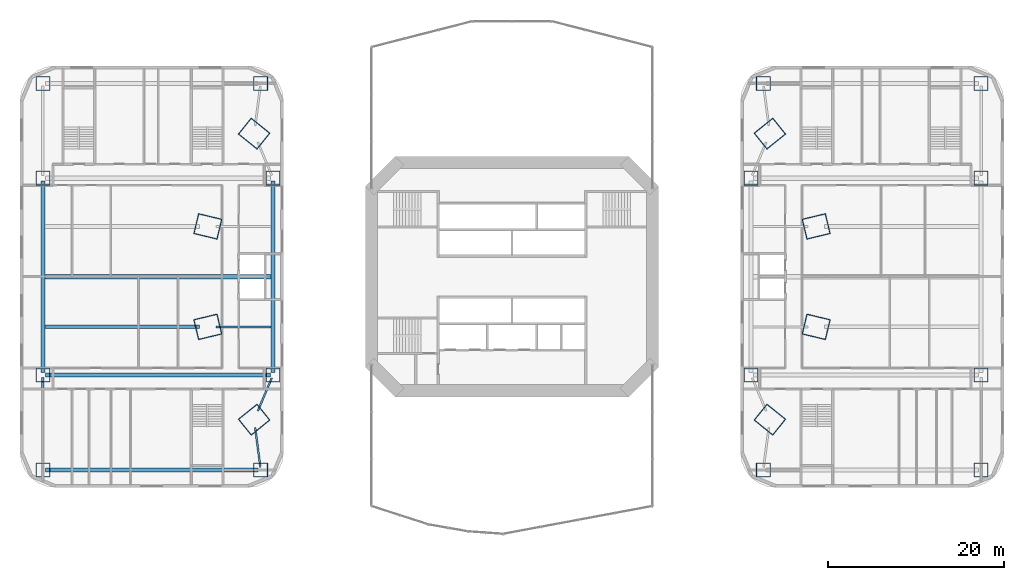
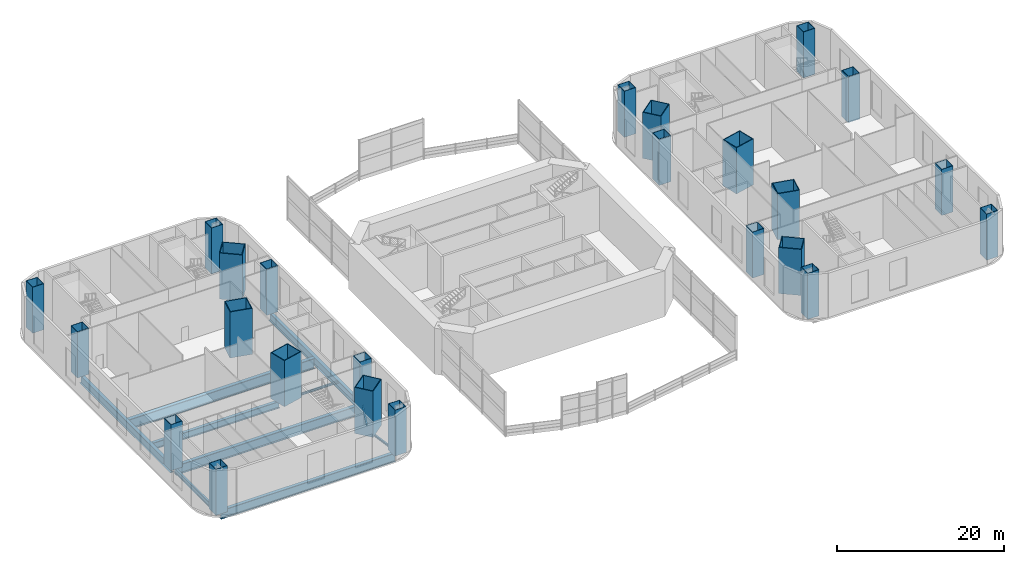
# One storey, part 1 of 19: 24 columns, 10 beams.
"""IFC4 building model written with IfcOpenShell, lengths in metres."""

from ifc_helpers import new_model, si_unit, direction, frame, origin, origin_2d, place, context, subcontext, project, spatial, rectangle, hollow_rectangle, i_section, extrude, material, material_profile, profile_set, type_object, element, save


model = new_model("IFC4")

# Units and contexts
model_context = context("Model", 3, precision=1e-05, world=origin(), true_north=direction((0.0, 1.0)))
body_context = subcontext(model_context, "Body", "Model", "MODEL_VIEW")
ifc_project = project(units=[si_unit("LENGTHUNIT", "METRE"), si_unit("AREAUNIT", "SQUARE_METRE"), si_unit("VOLUMEUNIT", "CUBIC_METRE"), si_unit("PLANEANGLEUNIT", "RADIAN"), si_unit("MASSUNIT", "GRAM", prefix="KILO")], contexts=[model_context])

# Site, building, storey
site_placement = place(None, origin())
site = spatial("IfcSite", under=ifc_project, at=site_placement, CompositionType="ELEMENT")
building_placement = place(site_placement, origin())
building = spatial("IfcBuilding", under=site, at=building_placement, Name="Marenthal Gate Tower", CompositionType="ELEMENT")
storey_placement = place(building_placement, frame((0.0, 0.0, 19.0)))
storey = spatial("IfcBuildingStorey", under=building, at=storey_placement, Name="L02", CompositionType="ELEMENT", Elevation=19.0)

# Columns
ifc_material_1 = material(Name="Steel S460", Category="steel")
ifc_material_profile_1 = material_profile(ifc_material_1, hollow_rectangle(XDim=2.39990234375, YDim=2.800048828125, WallThickness=0.10009765625, at=origin_2d()), Name="CFT BOX 2800X2400X100")
ifc_material_2 = material(Name="Concrete 70 MPa", Category="concrete")
ifc_material_profile_2 = material_profile(ifc_material_2, rectangle(XDim=2.199951171875, YDim=2.60009765625, at=origin_2d()), Name="CFT BOX 2800X2400X100 INFILL")
ifc_profile_set_1 = profile_set([ifc_material_profile_1, ifc_material_profile_2], Name="Steel S460 shell, Concrete 70 MPa infill")
column_type_1 = type_object("IfcColumnType", Name="CFT BOX 2800X2400X100", PredefinedType="COLUMN", material=ifc_profile_set_1)
for number, where, z_axis, x_axis, name in (
    (1, (34.62158203125, 5.716064453125, -0.25), (0.0, 0.0, 1.0), (0.2330465244, -0.972465586777, 0.0), "COL-L02-01"),
    (2, (29.350830078125, 16.2783203125, -0.25), (0.0, 0.0, 1.0), (0.627070248118, -0.778962710228, 0.0), "COL-L02-02"),
    (3, (-29.350830078125, 16.2783203125, -0.25), (0.0, 0.0, 1.0), (0.627070248118, 0.778962710228, 0.0), "COL-L02-07"),
    (4, (-34.62158203125, 5.716064453125, -0.25), (0.0, 0.0, 1.0), (0.2330465244, 0.972465586777, 0.0), "COL-L02-08"),
    (5, (-34.62158203125, -5.716064453125, -0.25), (0.0, 0.0, 1.0), (-0.2330465244, 0.972465586777, 0.0), "COL-L02-09"),
    (6, (-29.350830078125, -16.2783203125, -0.25), (0.0, 0.0, 1.0), (-0.627070248118, 0.778962710228, 0.0), "COL-L02-10"),
    (7, (29.350830078125, -16.2783203125, -0.25), (0.0, 0.0, 1.0), (-0.627070248118, -0.778962710228, 0.0), "COL-L02-15"),
    (8, (34.62158203125, -5.716064453125, -0.25), (0.0, 0.0, 1.0), (-0.2330465244, -0.972465586777, 0.0), "COL-L02-16"),
):
    element("IfcColumn", number, at=place(storey_placement, frame(where, z_axis=z_axis, x_axis=x_axis)), inside=storey, type_object=column_type_1, Name=name, PredefinedType="COLUMN", context=body_context, shape_type="SweptSolid", body=[
        extrude(hollow_rectangle(XDim=2.39990234375, YDim=2.800048828125, WallThickness=0.10009765625, at=origin_2d()), origin(), (0.0, 0.0, 1.0), 6.75),
    ])
ifc_material_3 = material(Name="Steel S460", Category="steel")
ifc_material_profile_3 = material_profile(ifc_material_3, hollow_rectangle(XDim=1.60009765625, YDim=1.60009765625, WallThickness=0.06005859375, at=origin_2d()), Name="CFT BOX 1600X1600X60")
ifc_material_4 = material(Name="Concrete 70 MPa", Category="concrete")
ifc_material_profile_4 = material_profile(ifc_material_4, rectangle(XDim=1.47998046875, YDim=1.47998046875, at=origin_2d()), Name="CFT BOX 1600X1600X60 INFILL")
ifc_profile_set_2 = profile_set([ifc_material_profile_3, ifc_material_profile_4], Name="Steel S460 shell, Concrete 70 MPa infill")
column_type_2 = type_object("IfcColumnType", Name="PODIUM COLUMN 1600X1600X60", PredefinedType="COLUMN", material=ifc_profile_set_2)
for number, where, z_axis, x_axis, name in (
    (9, (53.39990234375, -22.0, -0.25), (0.0, 0.0, 1.0), (1.0, 0.0, 0.0), "COL-L02-31"),
    (10, (28.60009765625, -22.0, -0.25), (0.0, 0.0, 1.0), (1.0, 0.0, 0.0), "COL-L02-32"),
    (11, (53.39990234375, -11.199951171875, -0.25), (0.0, 0.0, 1.0), (1.0, 0.0, 0.0), "COL-L02-33"),
    (12, (27.199951171875, -11.199951171875, -0.25), (0.0, 0.0, 1.0), (1.0, 0.0, 0.0), "COL-L02-34"),
    (13, (53.39990234375, 11.199951171875, -0.25), (0.0, 0.0, 1.0), (1.0, 0.0, 0.0), "COL-L02-35"),
    (14, (27.199951171875, 11.199951171875, -0.25), (0.0, 0.0, 1.0), (1.0, 0.0, 0.0), "COL-L02-36"),
    (15, (53.39990234375, 22.0, -0.25), (0.0, 0.0, 1.0), (1.0, 0.0, 0.0), "COL-L02-37"),
    (16, (28.60009765625, 22.0, -0.25), (0.0, 0.0, 1.0), (1.0, 0.0, 0.0), "COL-L02-38"),
    (17, (-53.39990234375, -22.0, -0.25), (0.0, 0.0, 1.0), (1.0, 0.0, 0.0), "COL-L02-39"),
    (18, (-28.60009765625, -22.0, -0.25), (0.0, 0.0, 1.0), (1.0, 0.0, 0.0), "COL-L02-40"),
    (19, (-53.39990234375, -11.199951171875, -0.25), (0.0, 0.0, 1.0), (1.0, 0.0, 0.0), "COL-L02-41"),
    (20, (-27.199951171875, -11.199951171875, -0.25), (0.0, 0.0, 1.0), (1.0, 0.0, 0.0), "COL-L02-42"),
    (21, (-53.39990234375, 11.199951171875, -0.25), (0.0, 0.0, 1.0), (1.0, 0.0, 0.0), "COL-L02-43"),
    (22, (-27.199951171875, 11.199951171875, -0.25), (0.0, 0.0, 1.0), (1.0, 0.0, 0.0), "COL-L02-44"),
    (23, (-53.39990234375, 22.0, -0.25), (0.0, 0.0, 1.0), (1.0, 0.0, 0.0), "COL-L02-45"),
    (24, (-28.60009765625, 22.0, -0.25), (0.0, 0.0, 1.0), (1.0, 0.0, 0.0), "COL-L02-46"),
):
    element("IfcColumn", number, at=place(storey_placement, frame(where, z_axis=z_axis, x_axis=x_axis)), inside=storey, type_object=column_type_2, Name=name, PredefinedType="COLUMN", context=body_context, shape_type="SweptSolid", body=[
        extrude(hollow_rectangle(XDim=1.60009765625, YDim=1.60009765625, WallThickness=0.06005859375, at=origin_2d()), origin(), (0.0, 0.0, 1.0), 6.75),
    ])

# Beams
ifc_material_5 = material(Name="Steel S355", Category="steel")
ifc_material_profile_5 = material_profile(ifc_material_5, i_section(OverallWidth=0.419921875, OverallDepth=1.0, WebThickness=0.02001953125, FlangeThickness=0.035888671875, at=origin_2d()), Name="PLATE GIRDER 1000X420X20X36")
ifc_profile_set_3 = profile_set([ifc_material_profile_5], Name="Steel S355")
beam_type_1 = type_object("IfcBeamType", Name="PLATE GIRDER 1000X420X20X36 beam", PredefinedType="BEAM", material=ifc_profile_set_3)
beam_1_placement = place(storey_placement, frame((-35.561279296875, -5.716064453125, -0.75), z_axis=(-1.0, 0.0, 0.0), x_axis=(0.0, -1.0, 0.0)))
element("IfcBeam", 25, at=beam_1_placement, inside=storey, type_object=beam_type_1, Name="BM-L02-125", PredefinedType="BEAM", context=body_context, shape_type="SweptSolid", body=[
    extrude(i_section(OverallWidth=0.419921875, OverallDepth=1.0, WebThickness=0.02001953125, FlangeThickness=0.035888671875, at=origin_2d()), origin(), (0.0, 0.0, 1.0), 17.61376953125),
])
ifc_material_6 = material(Name="Steel S355", Category="steel")
ifc_material_profile_6 = material_profile(ifc_material_6, i_section(OverallWidth=0.449951171875, OverallDepth=1.199951171875, WebThickness=0.02197265625, FlangeThickness=0.0400390625, at=origin_2d()), Name="PLATE GIRDER 1200X450X22X40")
ifc_profile_set_4 = profile_set([ifc_material_profile_6], Name="Steel S355")
beam_type_2 = type_object("IfcBeamType", Name="PLATE GIRDER 1200X450X22X40 beam", PredefinedType="BEAM", material=ifc_profile_set_4)
for number, where, z_axis, x_axis, name in (
    (26, (-53.39990234375, -10.89990234375, -0.85009765625), (0.0, 1.0, 0.0), (-1.0, 0.0, 0.0), "BM-L02-119"),
    (27, (-27.199951171875, -10.89990234375, -0.85009765625), (0.0, 1.0, 0.0), (-1.0, 0.0, 0.0), "BM-L02-121"),
):
    element("IfcBeam", number, at=place(storey_placement, frame(where, z_axis=z_axis, x_axis=x_axis)), inside=storey, type_object=beam_type_2, Name=name, PredefinedType="BEAM", context=body_context, shape_type="SweptSolid", body=[
        extrude(i_section(OverallWidth=0.449951171875, OverallDepth=1.199951171875, WebThickness=0.02197265625, FlangeThickness=0.0400390625, at=origin_2d()), origin(), (0.0, 0.0, 1.0), 21.7998046875),
    ])
ifc_material_7 = material(Name="Steel S355", Category="steel")
ifc_material_profile_7 = material_profile(ifc_material_7, i_section(OverallWidth=0.4599609375, OverallDepth=1.300048828125, WebThickness=0.02490234375, FlangeThickness=0.044921875, at=origin_2d()), Name="PLATE GIRDER 1300X460X25X45")
ifc_profile_set_5 = profile_set([ifc_material_profile_7], Name="Steel S355")
beam_type_3 = type_object("IfcBeamType", Name="PLATE GIRDER 1300X460X25X45 beam", PredefinedType="BEAM", material=ifc_profile_set_5)
beam_2_placement = place(storey_placement, frame((-28.89990234375, -22.0, -0.89990234375), z_axis=(-1.0, 0.0, 0.0), x_axis=(0.0, -1.0, 0.0)))
element("IfcBeam", 28, at=beam_2_placement, inside=storey, type_object=beam_type_3, Name="BM-L02-122", PredefinedType="BEAM", context=body_context, shape_type="SweptSolid", body=[
    extrude(i_section(OverallWidth=0.4599609375, OverallDepth=1.300048828125, WebThickness=0.02490234375, FlangeThickness=0.044921875, at=origin_2d()), origin(), (0.0, 0.0, 1.0), 24.2001953125),
])
ifc_material_8 = material(Name="Steel S355", Category="steel")
ifc_material_profile_8 = material_profile(ifc_material_8, i_section(OverallWidth=0.47998046875, OverallDepth=1.39990234375, WebThickness=0.02490234375, FlangeThickness=0.044921875, at=origin_2d()), Name="PLATE GIRDER 1400X480X25X45")
ifc_profile_set_6 = profile_set([ifc_material_profile_8], Name="Steel S355")
beam_type_4 = type_object("IfcBeamType", Name="PLATE GIRDER 1400X480X25X45 beam", PredefinedType="BEAM", material=ifc_profile_set_6)
beam_3_placement = place(storey_placement, frame((-27.5, -11.199951171875, -0.949951171875), z_axis=(-1.0, 0.0, 0.0), x_axis=(0.0, -1.0, 0.0)))
element("IfcBeam", 29, at=beam_3_placement, inside=storey, type_object=beam_type_4, Name="BM-L02-123", PredefinedType="BEAM", context=body_context, shape_type="SweptSolid", body=[
    extrude(i_section(OverallWidth=0.47998046875, OverallDepth=1.39990234375, WebThickness=0.02490234375, FlangeThickness=0.044921875, at=origin_2d()), origin(), (0.0, 0.0, 1.0), 25.60009765625),
])
ifc_material_9 = material(Name="Steel S355", Category="steel")
ifc_material_profile_9 = material_profile(ifc_material_9, i_section(OverallWidth=0.5, OverallDepth=1.5, WebThickness=0.02490234375, FlangeThickness=0.050048828125, at=origin_2d()), Name="PLATE GIRDER 1500X500X25X50")
ifc_profile_set_7 = profile_set([ifc_material_profile_9], Name="Steel S355")
beam_type_5 = type_object("IfcBeamType", Name="PLATE GIRDER 1500X500X25X50 beam", PredefinedType="BEAM", material=ifc_profile_set_7)
beam_4_placement = place(storey_placement, frame((-27.425048828125, 0.0, -1.0), z_axis=(-1.0, 0.0, 0.0), x_axis=(0.0, -1.0, 0.0)))
element("IfcBeam", 30, at=beam_4_placement, inside=storey, type_object=beam_type_5, Name="BM-L02-126", PredefinedType="BEAM", context=body_context, shape_type="SweptSolid", body=[
    extrude(i_section(OverallWidth=0.5, OverallDepth=1.5, WebThickness=0.02490234375, FlangeThickness=0.050048828125, at=origin_2d()), origin(), (0.0, 0.0, 1.0), 25.75),
])
ifc_material_10 = material(Name="Steel S355", Category="steel")
ifc_material_profile_10 = material_profile(ifc_material_10, i_section(OverallWidth=0.202880859375, OverallDepth=0.302001953125, WebThickness=0.007568359375, FlangeThickness=0.01318359375, FilletRadius=0.0126953125, at=origin_2d()), Name="W310X60")
ifc_profile_set_8 = profile_set([ifc_material_profile_10], Name="Steel S355")
beam_type_6 = type_object("IfcBeamType", Name="W310X60 beam", PredefinedType="BEAM", material=ifc_profile_set_8)
beam_5_placement = place(storey_placement, frame((-27.425048828125, -5.716064453125, -0.40087890625), z_axis=(-1.0, 0.0, 0.0), x_axis=(0.0, -1.0, 0.0)))
element("IfcBeam", 31, at=beam_5_placement, inside=storey, type_object=beam_type_6, Name="BM-L02-124", PredefinedType="BEAM", context=body_context, shape_type="SweptSolid", body=[
    extrude(i_section(OverallWidth=0.202880859375, OverallDepth=0.302001953125, WebThickness=0.007568359375, FlangeThickness=0.01318359375, FilletRadius=0.0126953125, at=origin_2d()), origin(), (0.0, 0.0, 1.0), 6.2568359375),
])
beam_6_placement = place(storey_placement, frame((-27.34375, -11.53955078125, -0.40087890625), z_axis=(-0.390030578719, -0.920801904681, 0.0), x_axis=(0.920801904681, -0.390030578719, 0.0)))
element("IfcBeam", 32, at=beam_6_placement, inside=storey, type_object=beam_type_6, Name="BM-L02-133", PredefinedType="BEAM", context=body_context, shape_type="SweptSolid", body=[
    extrude(i_section(OverallWidth=0.202880859375, OverallDepth=0.302001953125, WebThickness=0.007568359375, FlangeThickness=0.01318359375, FilletRadius=0.0126953125, at=origin_2d()), origin(), (0.0, 0.0, 1.0), 4.057373046875),
])
beam_7_placement = place(storey_placement, frame((-29.233154296875, -17.17578125, -0.40087890625), z_axis=(0.130135880417, -0.991496168741, 0.0), x_axis=(0.991496168741, 0.130135880417, 0.0)))
element("IfcBeam", 33, at=beam_7_placement, inside=storey, type_object=beam_type_6, Name="BM-L02-134", PredefinedType="BEAM", context=body_context, shape_type="SweptSolid", body=[
    extrude(i_section(OverallWidth=0.202880859375, OverallDepth=0.302001953125, WebThickness=0.007568359375, FlangeThickness=0.01318359375, FilletRadius=0.0126953125, at=origin_2d()), origin(), (0.0, 0.0, 1.0), 4.558837890625),
])
ifc_material_11 = material(Name="Steel S355", Category="steel")
ifc_material_profile_11 = material_profile(ifc_material_11, i_section(OverallWidth=0.25390625, OverallDepth=0.68310546875, WebThickness=0.012451171875, FlangeThickness=0.018798828125, FilletRadius=0.01513671875, at=origin_2d()), Name="W690X140")
ifc_profile_set_9 = profile_set([ifc_material_profile_11], Name="Steel S355")
beam_type_7 = type_object("IfcBeamType", Name="W690X140 beam", PredefinedType="BEAM", material=ifc_profile_set_9)
beam_8_placement = place(storey_placement, frame((-53.39990234375, -21.699951171875, -0.591552734375), z_axis=(0.0, 1.0, 0.0), x_axis=(-1.0, 0.0, 0.0)))
element("IfcBeam", 34, at=beam_8_placement, inside=storey, type_object=beam_type_7, Name="BM-L02-118", PredefinedType="BEAM", context=body_context, shape_type="SweptSolid", body=[
    extrude(i_section(OverallWidth=0.25390625, OverallDepth=0.68310546875, WebThickness=0.012451171875, FlangeThickness=0.018798828125, FilletRadius=0.01513671875, at=origin_2d()), origin(), (0.0, 0.0, 1.0), 10.199951171875),
])

save(model, "model.ifc")
